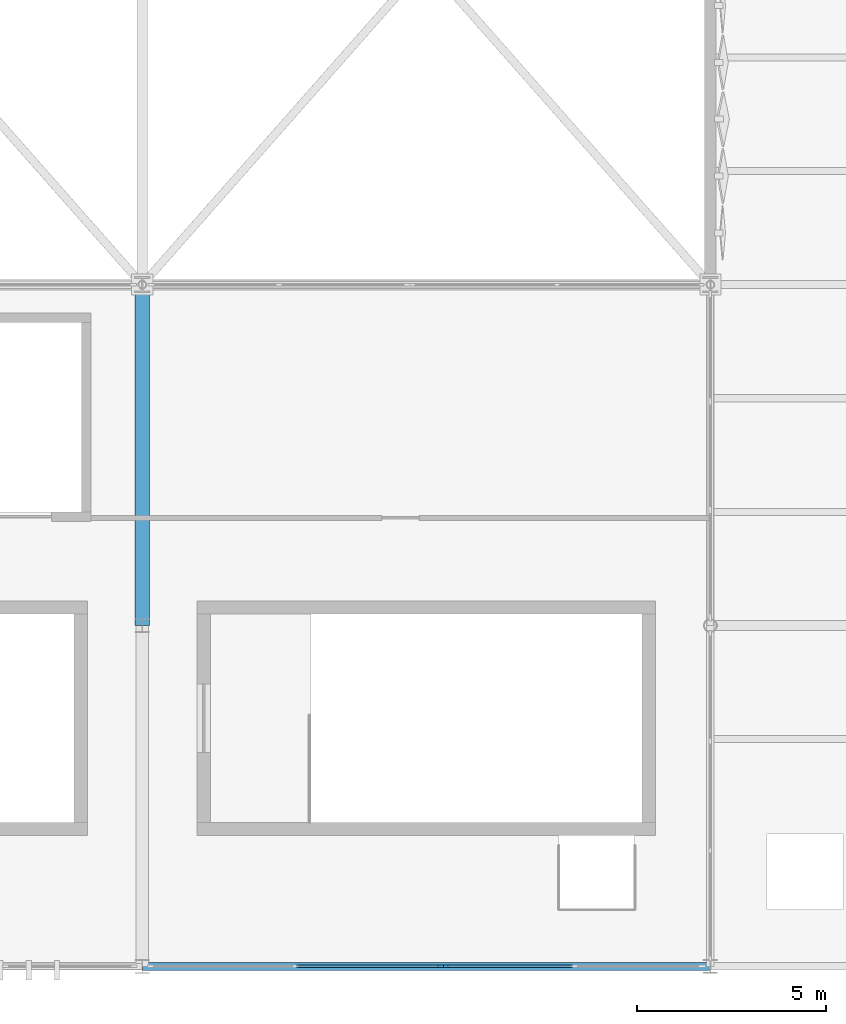
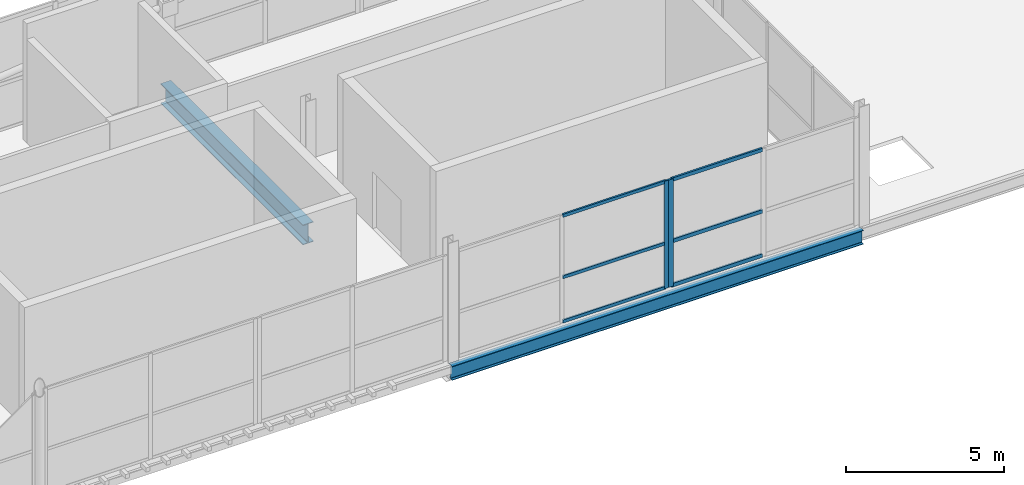
# One storey, part 49 of 224: 8 members, 2 beams, 2 elements without a shape of their own.
"""IFC4 building model written with IfcOpenShell, lengths in metres."""

from ifc_helpers import new_model, si_unit, direction, frame, origin, origin_2d, place, context, subcontext, project, spatial, rectangle, i_section, extrude, material, layer, layer_set, material_profile, profile_set, type_object, element, aggregate, save


model = new_model("IFC4")

# Units and contexts
model_context = context("Model", 3, precision=1e-05, world=origin(), true_north=direction((0.0, 1.0)))
body_context = subcontext(model_context, "Body", "Model", "MODEL_VIEW")
ifc_project = project(units=[si_unit("LENGTHUNIT", "METRE"), si_unit("AREAUNIT", "SQUARE_METRE"), si_unit("VOLUMEUNIT", "CUBIC_METRE"), si_unit("PLANEANGLEUNIT", "RADIAN"), si_unit("MASSUNIT", "GRAM", prefix="KILO")], contexts=[model_context])

# Site, building, storey
site_placement = place(None, origin())
site = spatial("IfcSite", under=ifc_project, at=site_placement, CompositionType="ELEMENT")
building_placement = place(site_placement, origin())
building = spatial("IfcBuilding", under=site, at=building_placement, Name="Qamarlyn Nura Convention Centre", CompositionType="ELEMENT")
storey_placement = place(building_placement, frame((0.0, 0.0, 10.800048828125)))
storey = spatial("IfcBuildingStorey", under=building, at=storey_placement, Name="L02", CompositionType="ELEMENT", Elevation=10.800048828125)

# Beams
ifc_material_1 = material(Name="Steel ASTM A992", Category="steel")
ifc_material_profile_1 = material_profile(ifc_material_1, i_section(OverallWidth=0.381103515625, OverallDepth=0.77294921875, WebThickness=0.0166015625, FlangeThickness=0.027587890625, FilletRadius=0.02001953125, at=origin_2d()), Name="W760X257")
ifc_profile_set_1 = profile_set([ifc_material_profile_1], Name="Steel ASTM A992")
beam_type_1 = type_object("IfcBeamType", Name="BM-GIRD-760", PredefinedType="BEAM", material=ifc_profile_set_1)
beam_1_placement = place(storey_placement, frame((105.0, 9.0, -0.6064453125), z_axis=(0.0, 1.0, 0.0), x_axis=(-1.0, 0.0, 0.0)))
element("IfcBeam", 1, at=beam_1_placement, inside=storey, type_object=beam_type_1, Name="L02 girder 8 B-C", PredefinedType="BEAM", context=body_context, shape_type="SweptSolid", body=[
    extrude(i_section(OverallWidth=0.381103515625, OverallDepth=0.77294921875, WebThickness=0.0166015625, FlangeThickness=0.027587890625, FilletRadius=0.02001953125, at=origin_2d()), origin(), (0.0, 0.0, 1.0), 9.0),
])
ifc_material_profile_2 = material_profile(ifc_material_1, i_section(OverallWidth=0.2109375, OverallDepth=0.5390625, WebThickness=0.01171875, FlangeThickness=0.018798828125, FilletRadius=0.013916015625, at=origin_2d()), Name="W530X109")
ifc_profile_set_2 = profile_set([ifc_material_profile_2], Name="Steel ASTM A992")
beam_type_2 = type_object("IfcBeamType", Name="BM-SPAN-530", PredefinedType="SPANDREL", material=ifc_profile_set_2)
beam_2_placement = place(storey_placement, frame((105.0, 0.0, -0.489501953125), z_axis=(1.0, 0.0, 0.0), x_axis=(0.0, 1.0, 0.0)))
element("IfcBeam", 2, at=beam_2_placement, inside=storey, type_object=beam_type_2, Name="L02 girder A 8-9", PredefinedType="SPANDREL", context=body_context, shape_type="SweptSolid", body=[
    extrude(i_section(OverallWidth=0.2109375, OverallDepth=0.5390625, WebThickness=0.01171875, FlangeThickness=0.018798828125, FilletRadius=0.013916015625, at=origin_2d()), origin(), (0.0, 0.0, 1.0), 15.0),
])

# Curtain wall, member
ifc_material_2 = material(Name="Double-silver low-E insulated glass", Category="glass")
ifc_layer_1 = layer(ifc_material_2, 0.179931640625, Name="CW-UNIT-26")
ifc_layer_set_1 = layer_set([ifc_layer_1], Name="Double-silver low-E insulated glass")
curtain_wall_type_1 = type_object("IfcCurtainWallType", Name="CW-UNIT-26", PredefinedType="NOTDEFINED", material=ifc_layer_set_1)
curtain_wall_1_placement = place(storey_placement, origin())
curtain_wall_1 = element("IfcCurtainWall", 3, at=curtain_wall_1_placement, inside=storey, type_object=curtain_wall_type_1, Name="L02 unitised curtain wall SF-S4-1B", PredefinedType="NOTDEFINED")
ifc_material_3 = material(Name="Champagne-anodised marine aluminium", Category="aluminium")
ifc_material_profile_3 = material_profile(ifc_material_3, rectangle(XDim=0.06494140625, YDim=0.159912109375, at=origin_2d()), Name="ALU MULLION 65x160")
ifc_profile_set_3 = profile_set([ifc_material_profile_3], Name="Champagne-anodised marine aluminium")
member_type_1 = type_object("IfcMemberType", Name="CWM-160", PredefinedType="MULLION", material=ifc_profile_set_3)
member_1_placement = place(storey_placement, frame((112.86767578125, 0.0, 0.0), z_axis=(0.0, 0.0, 1.0), x_axis=(0.0, -1.0, 0.0)))
member_1 = element("IfcMember", 4, at=member_1_placement, type_object=member_type_1, Name="CW26 mullion 1", PredefinedType="MULLION", context=body_context, shape_type="SweptSolid", body=[
    extrude(rectangle(XDim=0.06494140625, YDim=0.159912109375, at=origin_2d()), origin(), (0.0, 0.0, 1.0), 4.14404296875),
])

ifc_layer_2 = layer(ifc_material_2, 0.179931640625, Name="CW-UNIT-25")
ifc_layer_set_2 = layer_set([ifc_layer_2], Name="Double-silver low-E insulated glass")
curtain_wall_type_2 = type_object("IfcCurtainWallType", Name="CW-UNIT-25", PredefinedType="NOTDEFINED", material=ifc_layer_set_2)
curtain_wall_2_placement = place(storey_placement, origin())
curtain_wall_2 = element("IfcCurtainWall", 5, at=curtain_wall_2_placement, inside=storey, type_object=curtain_wall_type_2, Name="L02 unitised curtain wall SF-S4-1A", PredefinedType="NOTDEFINED")
ifc_material_profile_4 = material_profile(ifc_material_3, rectangle(XDim=0.070068359375, YDim=0.179931640625, at=origin_2d()), Name="ALU MULLION 70x180")
ifc_profile_set_4 = profile_set([ifc_material_profile_4], Name="Champagne-anodised marine aluminium")
member_type_2 = type_object("IfcMemberType", Name="CWM-180", PredefinedType="MULLION", material=ifc_profile_set_4)
member_2_placement = place(storey_placement, frame((113.01513671875, 0.0, 0.0), z_axis=(0.0, 0.0, 1.0), x_axis=(0.0, -1.0, 0.0)))
member_2 = element("IfcMember", 6, at=member_2_placement, type_object=member_type_2, Name="CW25 mullion 3", PredefinedType="MULLION", context=body_context, shape_type="SweptSolid", body=[
    extrude(rectangle(XDim=0.070068359375, YDim=0.179931640625, at=origin_2d()), origin(), (0.0, 0.0, 1.0), 4.14404296875),
])

# Member
ifc_material_profile_5 = material_profile(ifc_material_3, rectangle(XDim=0.06494140625, YDim=0.1201171875, at=origin_2d()), Name="ALU TRANSOM 65x120")
ifc_profile_set_5 = profile_set([ifc_material_profile_5], Name="Champagne-anodised marine aluminium")
member_type_3 = type_object("IfcMemberType", Name="CWT-120", PredefinedType="USERDEFINED", material=ifc_profile_set_5)
member_3_placement = place(storey_placement, frame((112.835205078125, 0.0, 0.032470703125), z_axis=(-1.0, 0.0, 0.0), x_axis=(0.0, -1.0, 0.0)))
member_3 = element("IfcMember", 7, at=member_3_placement, type_object=member_type_3, Name="CW26 transom 1.1", ObjectType="TRANSOM", PredefinedType="USERDEFINED", context=body_context, shape_type="SweptSolid", body=[
    extrude(rectangle(XDim=0.06494140625, YDim=0.1201171875, at=origin_2d()), origin(), (0.0, 0.0, 1.0), 3.759033203125),
])

member_4_placement = place(storey_placement, frame((112.835205078125, 0.0, 1.739990234375), z_axis=(-1.0, 0.0, 0.0), x_axis=(0.0, -1.0, 0.0)))
member_4 = element("IfcMember", 8, at=member_4_placement, type_object=member_type_3, Name="CW26 transom 1.2", ObjectType="TRANSOM", PredefinedType="USERDEFINED", context=body_context, shape_type="SweptSolid", body=[
    extrude(rectangle(XDim=0.06494140625, YDim=0.1201171875, at=origin_2d()), origin(), (0.0, 0.0, 1.0), 3.759033203125),
])

member_5_placement = place(storey_placement, frame((112.835205078125, 0.0, 4.111572265625), z_axis=(-1.0, 0.0, 0.0), x_axis=(0.0, -1.0, 0.0)))
member_5 = element("IfcMember", 9, at=member_5_placement, type_object=member_type_3, Name="CW26 transom 1.3", ObjectType="TRANSOM", PredefinedType="USERDEFINED", context=body_context, shape_type="SweptSolid", body=[
    extrude(rectangle(XDim=0.06494140625, YDim=0.1201171875, at=origin_2d()), origin(), (0.0, 0.0, 1.0), 3.759033203125),
])

aggregate(curtain_wall_1, [member_1, member_3, member_4, member_5])

ifc_material_profile_6 = material_profile(ifc_material_3, rectangle(XDim=0.070068359375, YDim=0.139892578125, at=origin_2d()), Name="ALU TRANSOM 70x140")
ifc_profile_set_6 = profile_set([ifc_material_profile_6], Name="Champagne-anodised marine aluminium")
member_type_4 = type_object("IfcMemberType", Name="CWT-140", PredefinedType="USERDEFINED", material=ifc_profile_set_6)
member_6_placement = place(storey_placement, frame((116.36279296875, 0.0, 0.034912109375), z_axis=(-1.0, 0.0, 0.0), x_axis=(0.0, -1.0, 0.0)))
member_6 = element("IfcMember", 10, at=member_6_placement, type_object=member_type_4, Name="CW25 transom 2.1", ObjectType="TRANSOM", PredefinedType="USERDEFINED", context=body_context, shape_type="SweptSolid", body=[
    extrude(rectangle(XDim=0.070068359375, YDim=0.139892578125, at=origin_2d()), origin(), (0.0, 0.0, 1.0), 3.312744140625),
])

member_7_placement = place(storey_placement, frame((116.36279296875, 0.0, 1.739990234375), z_axis=(-1.0, 0.0, 0.0), x_axis=(0.0, -1.0, 0.0)))
member_7 = element("IfcMember", 11, at=member_7_placement, type_object=member_type_4, Name="CW25 transom 2.2", ObjectType="TRANSOM", PredefinedType="USERDEFINED", context=body_context, shape_type="SweptSolid", body=[
    extrude(rectangle(XDim=0.070068359375, YDim=0.139892578125, at=origin_2d()), origin(), (0.0, 0.0, 1.0), 3.312744140625),
])

member_8_placement = place(storey_placement, frame((116.36279296875, 0.0, 4.10888671875), z_axis=(-1.0, 0.0, 0.0), x_axis=(0.0, -1.0, 0.0)))
member_8 = element("IfcMember", 12, at=member_8_placement, type_object=member_type_4, Name="CW25 transom 2.3", ObjectType="TRANSOM", PredefinedType="USERDEFINED", context=body_context, shape_type="SweptSolid", body=[
    extrude(rectangle(XDim=0.070068359375, YDim=0.139892578125, at=origin_2d()), origin(), (0.0, 0.0, 1.0), 3.312744140625),
])

aggregate(curtain_wall_2, [member_2, member_6, member_7, member_8])

save(model, "model.ifc")
